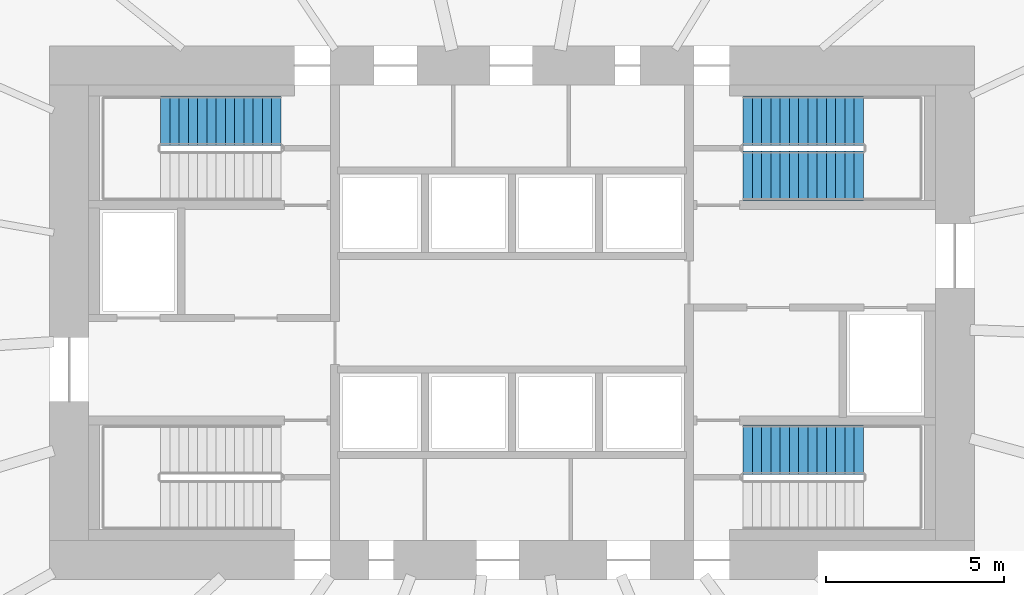
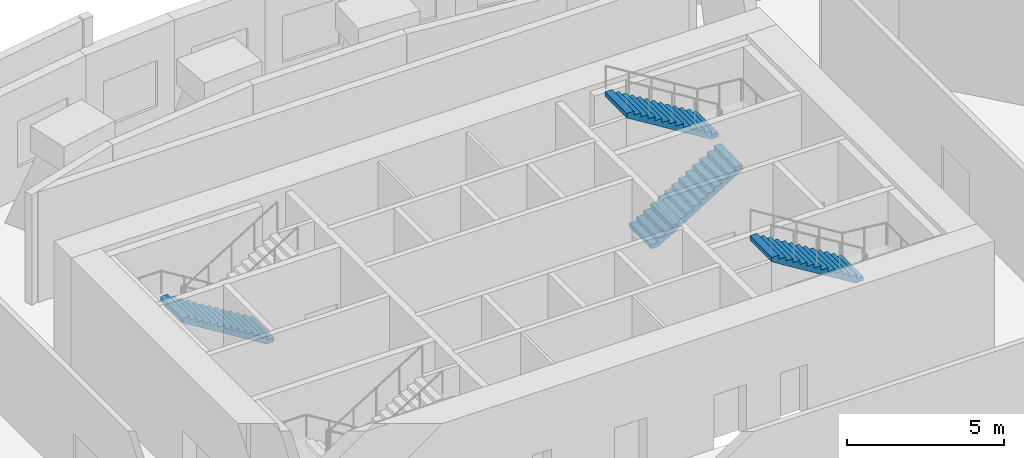
# One storey, part 8 of 9: 4 stair flights, 3 elements without a shape of their own.
"""IFC4 building model written with IfcOpenShell, lengths in metres."""

from ifc_helpers import new_model, si_unit, direction, frame, origin, place, context, subcontext, project, spatial, polyline, outline, extrude, material, type_object, element, aggregate, save


model = new_model("IFC4")

# Units and contexts
model_context = context("Model", 3, precision=1e-05, world=origin(), true_north=direction((0.0, 1.0)))
body_context = subcontext(model_context, "Body", "Model", "MODEL_VIEW")
ifc_project = project(units=[si_unit("LENGTHUNIT", "METRE"), si_unit("AREAUNIT", "SQUARE_METRE"), si_unit("VOLUMEUNIT", "CUBIC_METRE"), si_unit("PLANEANGLEUNIT", "RADIAN"), si_unit("MASSUNIT", "GRAM", prefix="KILO")], contexts=[model_context])

# Site, building, storey
site_placement = place(None, origin())
site = spatial("IfcSite", under=ifc_project, at=site_placement, CompositionType="ELEMENT")
building_placement = place(site_placement, origin())
building = spatial("IfcBuilding", under=site, at=building_placement, Name="Rubra Terraces Tower", CompositionType="ELEMENT")
storey_placement = place(building_placement, frame((0.0, 0.0, 77.10009765625)))
storey = spatial("IfcBuildingStorey", under=building, at=storey_placement, Name="L17", CompositionType="ELEMENT", Elevation=77.10009765625)

# Stair, stair flight
ifc_material = material(Name="Concrete C40", Category="concrete")
stair_type = type_object("IfcStairType", Name="Core stair 1400", PredefinedType="HALF_TURN_STAIR", material=ifc_material)
stair_1_placement = place(storey_placement, origin())
stair_1 = element("IfcStair", 1, at=stair_1_placement, inside=storey, type_object=stair_type, Name="L17 Exit stair S2", PredefinedType="HALF_TURN_STAIR")
stair_flight_type = type_object("IfcStairFlightType", Name="Core stair flight 1400", PredefinedType="STRAIGHT", material=ifc_material)
stair_flight_1_placement = place(storey_placement, frame((-6.5, 9.89990234375, 0.0), z_axis=(0.0, 0.0, 1.0), x_axis=(-1.0, 0.0, 0.0)))
stair_flight_1 = element("IfcStairFlight", 2, at=stair_flight_1_placement, type_object=stair_flight_type, Name="S2 flight 1", NumberOfRisers=14, NumberOfTreads=13, PredefinedType="STRAIGHT", RiserHeight=0.160714286, TreadLength=0.26, context=body_context, shape_type="SweptSolid", body=[
    extrude(outline(polyline([(0.0, 0.0), (0.0, 0.16064453125), (0.260009765625, 0.16064453125), (0.260009765625, 0.321533203125), (0.52001953125, 0.321533203125), (0.52001953125, 0.482177734375), (0.780029296875, 0.482177734375), (0.780029296875, 0.642822265625), (1.0400390625, 0.642822265625), (1.0400390625, 0.803466796875), (1.300048828125, 0.803466796875), (1.300048828125, 0.96435546875), (1.56005859375, 0.96435546875), (1.56005859375, 1.125), (1.820068359375, 1.125), (1.820068359375, 1.28564453125), (2.080078125, 1.28564453125), (2.080078125, 1.446533203125), (2.340087890625, 1.446533203125), (2.340087890625, 1.607177734375), (2.60009765625, 1.607177734375), (2.60009765625, 1.767822265625), (2.860107421875, 1.767822265625), (2.860107421875, 1.928466796875), (3.1201171875, 1.928466796875), (3.1201171875, 2.08935546875), (3.3798828125, 2.08935546875), (3.3798828125, 2.25), (3.3798828125, 1.9130859375), (0.28515625, 0.0), (0.0, 0.0)])), frame((0.0, 0.699951171875, 0.0), z_axis=(0.0, -1.0, 0.0), x_axis=(1.0, 0.0, 0.0)), (0.0, 0.0, 1.0), 1.39990234375),
])
aggregate(stair_1, [stair_flight_1])

# Stair, stair flights
stair_2_placement = place(storey_placement, origin())
stair_2 = element("IfcStair", 3, at=stair_2_placement, inside=storey, type_object=stair_type, Name="L17 Exit stair S3", PredefinedType="HALF_TURN_STAIR")
stair_flight_2_placement = place(storey_placement, frame((6.5, 8.35009765625, 0.0), z_axis=(0.0, 0.0, 1.0), x_axis=(1.0, 0.0, 0.0)))
stair_flight_2 = element("IfcStairFlight", 4, at=stair_flight_2_placement, type_object=stair_flight_type, Name="S3 flight 1", NumberOfRisers=14, NumberOfTreads=13, PredefinedType="STRAIGHT", RiserHeight=0.160714286, TreadLength=0.26, context=body_context, shape_type="SweptSolid", body=[
    extrude(outline(polyline([(0.0, 0.0), (0.0, 0.16064453125), (0.260009765625, 0.16064453125), (0.260009765625, 0.321533203125), (0.52001953125, 0.321533203125), (0.52001953125, 0.482177734375), (0.780029296875, 0.482177734375), (0.780029296875, 0.642822265625), (1.0400390625, 0.642822265625), (1.0400390625, 0.803466796875), (1.300048828125, 0.803466796875), (1.300048828125, 0.96435546875), (1.56005859375, 0.96435546875), (1.56005859375, 1.125), (1.820068359375, 1.125), (1.820068359375, 1.28564453125), (2.080078125, 1.28564453125), (2.080078125, 1.446533203125), (2.340087890625, 1.446533203125), (2.340087890625, 1.607177734375), (2.60009765625, 1.607177734375), (2.60009765625, 1.767822265625), (2.860107421875, 1.767822265625), (2.860107421875, 1.928466796875), (3.1201171875, 1.928466796875), (3.1201171875, 2.08935546875), (3.3798828125, 2.08935546875), (3.3798828125, 2.25), (3.3798828125, 1.9130859375), (0.28515625, 0.0), (0.0, 0.0)])), frame((0.0, 0.699951171875, 0.0), z_axis=(0.0, -1.0, 0.0), x_axis=(1.0, 0.0, 0.0)), (0.0, 0.0, 1.0), 1.39990234375),
])
stair_flight_3_placement = place(storey_placement, frame((9.8798828125, 9.89990234375, 2.25), z_axis=(0.0, 0.0, 1.0), x_axis=(-1.0, 0.0, 0.0)))
stair_flight_3 = element("IfcStairFlight", 5, at=stair_flight_3_placement, type_object=stair_flight_type, Name="S3 flight 2", NumberOfRisers=14, NumberOfTreads=13, PredefinedType="STRAIGHT", RiserHeight=0.160714286, TreadLength=0.26, context=body_context, shape_type="SweptSolid", body=[
    extrude(outline(polyline([(0.0, 0.0), (0.0, 0.16064453125), (0.260009765625, 0.16064453125), (0.260009765625, 0.321533203125), (0.52001953125, 0.321533203125), (0.52001953125, 0.482177734375), (0.780029296875, 0.482177734375), (0.780029296875, 0.642822265625), (1.0400390625, 0.642822265625), (1.0400390625, 0.803466796875), (1.300048828125, 0.803466796875), (1.300048828125, 0.96435546875), (1.56005859375, 0.96435546875), (1.56005859375, 1.125), (1.820068359375, 1.125), (1.820068359375, 1.28564453125), (2.080078125, 1.28564453125), (2.080078125, 1.446533203125), (2.340087890625, 1.446533203125), (2.340087890625, 1.607177734375), (2.60009765625, 1.607177734375), (2.60009765625, 1.767822265625), (2.860107421875, 1.767822265625), (2.860107421875, 1.928466796875), (3.1201171875, 1.928466796875), (3.1201171875, 2.08935546875), (3.3798828125, 2.08935546875), (3.3798828125, 2.25), (3.3798828125, 1.9130859375), (0.28515625, 0.0), (0.0, 0.0)])), frame((0.0, 0.699951171875, 0.0), z_axis=(0.0, -1.0, 0.0), x_axis=(1.0, 0.0, 0.0)), (0.0, 0.0, 1.0), 1.39990234375),
])
aggregate(stair_2, [stair_flight_2, stair_flight_3])

# Stair, stair flight
stair_3_placement = place(storey_placement, origin())
stair_3 = element("IfcStair", 6, at=stair_3_placement, inside=storey, type_object=stair_type, Name="L17 Exit stair S4", PredefinedType="HALF_TURN_STAIR")
stair_flight_4_placement = place(storey_placement, frame((9.8798828125, 0.64990234375, 2.25), z_axis=(0.0, 0.0, 1.0), x_axis=(-1.0, 0.0, 0.0)))
stair_flight_4 = element("IfcStairFlight", 7, at=stair_flight_4_placement, type_object=stair_flight_type, Name="S4 flight 2", NumberOfRisers=14, NumberOfTreads=13, PredefinedType="STRAIGHT", RiserHeight=0.160714286, TreadLength=0.26, context=body_context, shape_type="SweptSolid", body=[
    extrude(outline(polyline([(0.0, 0.0), (0.0, 0.16064453125), (0.260009765625, 0.16064453125), (0.260009765625, 0.321533203125), (0.52001953125, 0.321533203125), (0.52001953125, 0.482177734375), (0.780029296875, 0.482177734375), (0.780029296875, 0.642822265625), (1.0400390625, 0.642822265625), (1.0400390625, 0.803466796875), (1.300048828125, 0.803466796875), (1.300048828125, 0.96435546875), (1.56005859375, 0.96435546875), (1.56005859375, 1.125), (1.820068359375, 1.125), (1.820068359375, 1.28564453125), (2.080078125, 1.28564453125), (2.080078125, 1.446533203125), (2.340087890625, 1.446533203125), (2.340087890625, 1.607177734375), (2.60009765625, 1.607177734375), (2.60009765625, 1.767822265625), (2.860107421875, 1.767822265625), (2.860107421875, 1.928466796875), (3.1201171875, 1.928466796875), (3.1201171875, 2.08935546875), (3.3798828125, 2.08935546875), (3.3798828125, 2.25), (3.3798828125, 1.9130859375), (0.28515625, 0.0), (0.0, 0.0)])), frame((0.0, 0.699951171875, 0.0), z_axis=(0.0, -1.0, 0.0), x_axis=(1.0, 0.0, 0.0)), (0.0, 0.0, 1.0), 1.39990234375),
])
aggregate(stair_3, [stair_flight_4])

save(model, "model.ifc")
